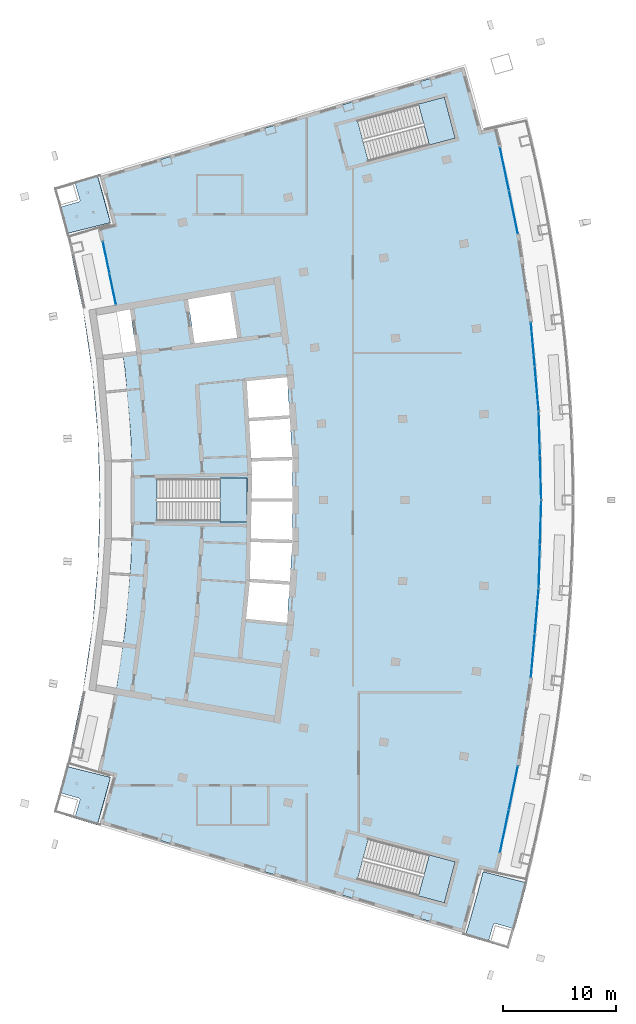
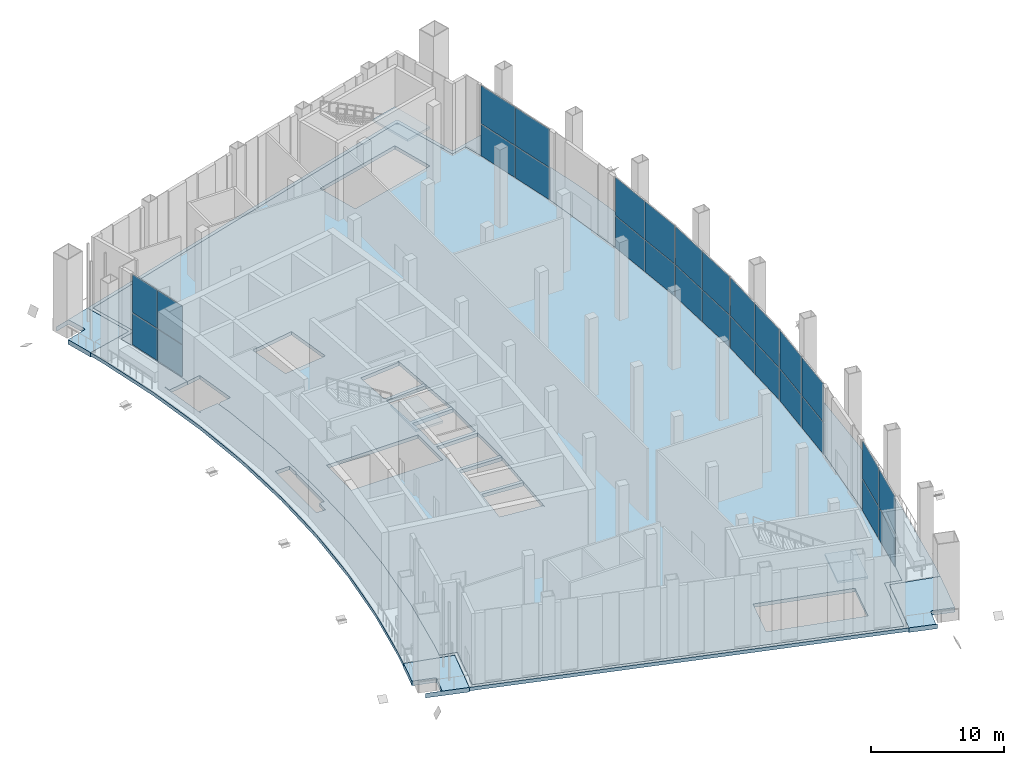
# One storey, part 12 of 24: 28 plates, 8 slabs, 10 elements without a shape of their own.
"""IFC4 building model written with IfcOpenShell, lengths in metres."""

from ifc_helpers import new_model, si_unit, direction, frame, origin, origin_2d, place, context, subcontext, project, spatial, polyline, rectangle, outline, extrude, material, layer, layer_set, type_object, element, aggregate, save


model = new_model("IFC4")

# Units and contexts
model_context = context("Model", 3, precision=1e-05, world=origin(), true_north=direction((0.0, 1.0)))
body_context = subcontext(model_context, "Body", "Model", "MODEL_VIEW")
ifc_project = project(units=[si_unit("LENGTHUNIT", "METRE"), si_unit("AREAUNIT", "SQUARE_METRE"), si_unit("VOLUMEUNIT", "CUBIC_METRE"), si_unit("PLANEANGLEUNIT", "RADIAN"), si_unit("MASSUNIT", "GRAM", prefix="KILO")], contexts=[model_context])

# Site, building, storey
site_placement = place(None, origin())
site = spatial("IfcSite", under=ifc_project, at=site_placement, CompositionType="ELEMENT")
building_placement = place(site_placement, origin())
building = spatial("IfcBuilding", under=site, at=building_placement, Name="Alderwake Tower", CompositionType="ELEMENT")
storey_placement = place(building_placement, frame((0.0, 0.0, 232.39990234375)))
storey = spatial("IfcBuildingStorey", under=building, at=storey_placement, Name="L58", CompositionType="ELEMENT", Elevation=232.39990234375)

# Slabs
ifc_material_1 = material(Name="Concrete C50/60", Category="concrete")
ifc_layer_1 = layer(ifc_material_1, 0.320068359375)
ifc_layer_set_1 = layer_set([ifc_layer_1], Name="Concrete C50/60 post-tensioned flat plate 320")
slab_type_1 = type_object("IfcSlabType", Name="Concrete C50/60 post-tensioned flat plate 320", PredefinedType="FLOOR", material=ifc_layer_set_1)
slab_1_placement = place(storey_placement, frame((0.0, 0.0, -0.31982421875)))
element("IfcSlab", 1, at=slab_1_placement, inside=storey, type_object=slab_type_1, Name="Floor slab L58", PredefinedType="FLOOR", context=body_context, shape_type="SweptSolid", body=[
    extrude(outline(polyline([(19.224853515625, 74.1796875), (18.673095703125, 77.842041015625), (18.869140625, 77.87158203125), (18.8671875, 77.8837890625), (17.474365234375, 77.6416015625), (17.389404296875, 78.21923828125), (16.219970703125, 83.867919921875), (15.923583984375, 84.97119140625), (17.3134765625, 85.322998046875), (16.14404296875, 89.552001953125), (47.912841796875, 99.090087890625), (48.194580078125, 98.934326171875), (49.692138671875, 93.518798828125), (51.005615234375, 93.851318359375), (51.43896484375, 92.238037109375), (53.03662109375, 84.52197265625), (54.181640625, 76.725830078125), (54.8701171875, 68.87646484375), (55.10009765625, 61.0), (54.8701171875, 53.12353515625), (54.181640625, 45.274169921875), (53.03662109375, 37.47802734375), (51.43896484375, 29.761962890625), (51.005615234375, 28.148681640625), (49.692138671875, 28.481201171875), (48.13330078125, 22.843994140625), (16.14404296875, 32.447998046875), (17.3134765625, 36.677001953125), (15.923583984375, 37.02880859375), (16.219970703125, 38.132080078125), (17.389404296875, 43.78076171875), (18.227783203125, 49.48779296875), (18.731689453125, 55.234130859375), (18.89990234375, 61.0), (18.731689453125, 66.765869140625), (18.227783203125, 72.51220703125), (18.03955078125, 73.79248046875), (18.234375, 74.050048828125), (19.224853515625, 74.1796875)]), holes=[polyline([(29.25732421875, 53.7685546875), (28.939697265625, 50.49072265625), (32.546875, 50.1376953125), (32.5322265625, 49.988525390625), (32.562255859375, 49.985595703125), (32.80126953125, 53.654541015625), (33.0400390625, 57.323486328125), (33.0400390625, 61.0), (33.0400390625, 64.676513671875), (32.80126953125, 68.345458984375), (32.562255859375, 72.014404296875), (32.532470703125, 72.011474609375), (32.547119140625, 71.8623046875), (28.886962890625, 71.50390625), (28.88720703125, 71.50048828125), (28.99462890625, 71.506591796875), (29.184814453125, 68.26025390625), (32.761474609375, 68.4931640625), (32.771240234375, 68.343505859375), (32.781005859375, 68.19384765625), (29.2021484375, 67.960693359375), (29.392578125, 64.7080078125), (33.005126953125, 64.82568359375), (33.010009765625, 64.67578125), (33.014892578125, 64.525634765625), (29.41015625, 64.408447265625), (29.4765625, 63.27685546875), (29.429443359375, 61.14990234375), (33.010009765625, 61.14990234375), (33.010009765625, 61.0), (33.010009765625, 60.85009765625), (29.4228515625, 60.85009765625), (29.350830078125, 57.593505859375), (33.014892578125, 57.474365234375), (33.010009765625, 57.32421875), (33.005126953125, 57.17431640625), (29.34423828125, 57.29345703125), (29.2705078125, 53.9697265625), (29.274169921875, 53.969482421875), (29.2783203125, 54.0341796875), (32.781005859375, 53.80615234375), (32.771240234375, 53.656494140625), (32.761474609375, 53.5068359375), (29.2587890625, 53.73486328125), (29.260986328125, 53.768310546875), (29.25732421875, 53.7685546875)]), polyline([(21.050048828125, 62.875), (21.050048828125, 59.125), (29.0, 59.125), (29.0, 62.875), (21.050048828125, 62.875)]), polyline([(27.538330078125, 79.39111328125), (23.794921875, 78.740478515625), (24.384033203125, 74.8583984375), (24.36865234375, 74.856201171875), (24.369140625, 74.8525390625), (28.152587890625, 75.347412109375), (27.538330078125, 79.39111328125)]), polyline([(47.436279296875, 28.996826171875), (39.754150390625, 31.043212890625), (38.7890625, 27.41943359375), (46.47119140625, 25.373291015625), (47.436279296875, 28.996826171875)]), polyline([(46.47119140625, 96.626708984375), (38.7890625, 94.58056640625), (39.754150390625, 90.956787109375), (47.436279296875, 93.003173828125), (46.47119140625, 96.626708984375)])]), origin(), (0.0, 0.0, 1.0), 0.31982421875),
])
ifc_material_2 = material(Name="Concrete C50/60", Category="concrete")
ifc_layer_2 = layer(ifc_material_2, 0.320068359375)
ifc_layer_set_2 = layer_set([ifc_layer_2], Name="Concrete C50/60 terrace slab 320")
slab_type_2 = type_object("IfcSlabType", Name="Concrete C50/60 terrace slab 320", PredefinedType="FLOOR", material=ifc_layer_set_2)
slab_2_placement = place(storey_placement, frame((0.0, 0.0, -0.31982421875)))
element("IfcSlab", 2, at=slab_2_placement, inside=storey, type_object=slab_type_2, Name="Terrace slab L58", PredefinedType="FLOOR", context=body_context, shape_type="SweptSolid", body=[
    extrude(outline(polyline([(13.3984375, 38.802734375), (14.53369140625, 44.28564453125), (15.347412109375, 49.825439453125), (15.836669921875, 55.4033203125), (16.0, 61.0), (15.836669921875, 66.5966796875), (15.347412109375, 72.174560546875), (14.53369140625, 77.71435546875), (13.3984375, 83.197265625), (13.06494140625, 84.556884765625), (16.942626953125, 85.53857421875), (15.776611328125, 89.7548828125), (48.120361328125, 99.465576171875), (48.40185546875, 99.309814453125), (49.903076171875, 93.881591796875), (53.78076171875, 94.863037109375), (54.26025390625, 92.90869140625), (55.892333984375, 85.02685546875), (57.06201171875, 77.0634765625), (57.765380859375, 69.04541015625), (58.0, 61.0), (57.765380859375, 52.95458984375), (57.06201171875, 44.9365234375), (55.892333984375, 36.97314453125), (54.26025390625, 29.09130859375), (53.78076171875, 27.136962890625), (49.903076171875, 28.118408203125), (48.340576171875, 22.468505859375), (15.776611328125, 32.2451171875), (16.942626953125, 36.46142578125), (13.06494140625, 37.443115234375), (13.3984375, 38.802734375)]), holes=[polyline([(49.692138671875, 28.481201171875), (51.005615234375, 28.148681640625), (51.43896484375, 29.761962890625), (53.03662109375, 37.47802734375), (54.181640625, 45.274169921875), (54.8701171875, 53.12353515625), (55.10009765625, 61.0), (54.8701171875, 68.87646484375), (54.181640625, 76.725830078125), (53.03662109375, 84.52197265625), (51.43896484375, 92.238037109375), (51.005615234375, 93.851318359375), (49.692138671875, 93.518798828125), (48.13330078125, 99.156005859375), (16.14404296875, 89.552001953125), (17.3134765625, 85.322998046875), (15.923583984375, 84.97119140625), (16.219970703125, 83.867919921875), (17.389404296875, 78.21923828125), (17.474365234375, 77.6416015625), (15.740234375, 77.340087890625), (15.64111328125, 77.91015625), (15.487060546875, 77.8828125), (15.487548828125, 77.879150390625), (15.617919921875, 77.899169921875), (16.280029296875, 73.5927734375), (16.31005859375, 73.5966796875), (16.2841796875, 73.794921875), (18.006103515625, 74.020263671875), (18.227783203125, 72.51220703125), (18.731689453125, 66.765869140625), (18.89990234375, 61.0), (18.731689453125, 55.234130859375), (18.227783203125, 49.48779296875), (17.389404296875, 43.78076171875), (16.219970703125, 38.132080078125), (15.923583984375, 37.02880859375), (17.3134765625, 36.677001953125), (16.14404296875, 32.447998046875), (48.13330078125, 22.843994140625), (49.692138671875, 28.481201171875)]), polyline([(17.289306640625, 64.118408203125), (17.289306640625, 57.881591796875), (18.06298828125, 57.85400390625), (18.090576171875, 58.84375), (18.544189453125, 58.831298828125), (18.529296875, 58.8681640625), (18.5234375, 58.891845703125), (18.5185546875, 58.940673828125), (18.5185546875, 63.060302734375), (18.5234375, 63.109130859375), (18.53759765625, 63.156005859375), (18.560791015625, 63.19921875), (18.588623046875, 63.2333984375), (18.562744140625, 64.16357421875), (17.289306640625, 64.118408203125)])]), origin(), (0.0, 0.0, 1.0), 0.31982421875),
])

# Stair, slab
ifc_material_3 = material(Name="Concrete C40/50", Category="concrete")
stair_type = type_object("IfcStairType", Name="Core exit stair", PredefinedType="HALF_TURN_STAIR", material=ifc_material_3)
stair_1_placement = place(storey_placement, origin())
stair_1 = element("IfcStair", 3, at=stair_1_placement, inside=storey, type_object=stair_type, Name="L58 Exit Stair B", PredefinedType="HALF_TURN_STAIR")
ifc_material_4 = material(Name="Concrete C40/50", Category="concrete")
ifc_layer_3 = layer(ifc_material_4, 0.199951171875)
ifc_layer_set_3 = layer_set([ifc_layer_3], Name="Core stair landing 200")
slab_type_3 = type_object("IfcSlabType", Name="Core stair landing 200", PredefinedType="LANDING", material=ifc_layer_set_3)
slab_3_placement = place(storey_placement, frame((0.0, 0.0, 3.400146484375)))
slab_3 = element("IfcSlab", 4, at=slab_3_placement, type_object=slab_type_3, Name="ST-B landing 1", PredefinedType="LANDING", context=body_context, shape_type="SweptSolid", body=[
    extrude(outline(polyline([(26.6298828125, 59.074951171875), (29.0, 59.074951171875), (29.0, 62.925048828125), (26.6298828125, 62.925048828125), (26.6298828125, 59.074951171875)])), origin(), (0.0, 0.0, 1.0), 0.199951171875),
])
aggregate(stair_1, [slab_3])

stair_2_placement = place(storey_placement, origin())
stair_2 = element("IfcStair", 5, at=stair_2_placement, inside=storey, type_object=stair_type, Name="L58 Exit Stair A", PredefinedType="HALF_TURN_STAIR")
slab_4_placement = place(storey_placement, frame((0.0, 0.0, 3.400146484375)))
slab_4 = element("IfcSlab", 6, at=slab_4_placement, type_object=slab_type_3, Name="ST-A landing 1", PredefinedType="LANDING", context=body_context, shape_type="SweptSolid", body=[
    extrude(outline(polyline([(45.146240234375, 92.39306640625), (47.436279296875, 93.003173828125), (46.47119140625, 96.626708984375), (44.18115234375, 96.0166015625), (45.146240234375, 92.39306640625)])), origin(), (0.0, 0.0, 1.0), 0.199951171875),
])
aggregate(stair_2, [slab_4])

stair_3_placement = place(storey_placement, origin())
stair_3 = element("IfcStair", 7, at=stair_3_placement, inside=storey, type_object=stair_type, Name="L58 Exit Stair C", PredefinedType="HALF_TURN_STAIR")
slab_5_placement = place(storey_placement, frame((0.0, 0.0, 3.400146484375)))
slab_5 = element("IfcSlab", 8, at=slab_5_placement, type_object=slab_type_3, Name="ST-C landing 1", PredefinedType="LANDING", context=body_context, shape_type="SweptSolid", body=[
    extrude(outline(polyline([(44.180908203125, 25.983154296875), (46.47119140625, 25.373291015625), (47.436279296875, 28.996826171875), (45.146240234375, 29.60693359375), (44.180908203125, 25.983154296875)])), origin(), (0.0, 0.0, 1.0), 0.199951171875),
])
aggregate(stair_3, [slab_5])

# Curtain wall, plates
ifc_material_5 = material(Name="Bronze tinted glass in aluminium frame", Category="aluminium")
ifc_layer_4 = layer(ifc_material_5, 0.199951171875)
ifc_layer_set_4 = layer_set([ifc_layer_4], Name="Curtain wall CW3 sky garden glazing")
curtain_wall_type = type_object("IfcCurtainWallType", Name="Curtain wall CW3 sky garden glazing", PredefinedType="NOTDEFINED", material=ifc_layer_set_4)
curtain_wall_1_placement = place(storey_placement, origin())
curtain_wall_1 = element("IfcCurtainWall", 9, at=curtain_wall_1_placement, inside=storey, type_object=curtain_wall_type, Name="Curtain wall 1", PredefinedType="NOTDEFINED")
ifc_material_6 = material(Name="Bronze tinted glass in aluminium frame", Category="aluminium")
ifc_layer_5 = layer(ifc_material_6, 0.028076171875)
ifc_layer_set_5 = layer_set([ifc_layer_5], Name="Glass panel GPC 28")
plate_type = type_object("IfcPlateType", Name="Glass panel GPC 28", PredefinedType="CURTAIN_PANEL", material=ifc_layer_set_5)
plate_1_placement = place(storey_placement, frame((16.564208984375, 82.4521484375, 0.06005859375), z_axis=(0.0, 0.0, 1.0), x_axis=(0.202751325409, -0.979230258951, 0.0)))
plate_1 = element("IfcPlate", 10, at=plate_1_placement, type_object=plate_type, Name="CW.01 panel 1.1", PredefinedType="CURTAIN_PANEL", context=body_context, shape_type="SweptSolid", body=[
    extrude(rectangle(XDim=2.791748046875, YDim=0.028076171875, at=origin_2d()), origin(), (0.0, 0.0, 1.0), 2.909912109375),
])
plate_2_placement = place(storey_placement, frame((16.564208984375, 82.4521484375, 3.0302734375), z_axis=(0.0, 0.0, 1.0), x_axis=(0.202751325409, -0.979230258951, 0.0)))
plate_2 = element("IfcPlate", 11, at=plate_2_placement, type_object=plate_type, Name="CW.01 panel 1.2", PredefinedType="CURTAIN_PANEL", context=body_context, shape_type="SweptSolid", body=[
    extrude(rectangle(XDim=2.791748046875, YDim=0.028076171875, at=origin_2d()), origin(), (0.0, 0.0, 1.0), 3.510009765625),
])
plate_3_placement = place(storey_placement, frame((17.142333984375, 79.65966796875, 0.06005859375), z_axis=(0.0, 0.0, 1.0), x_axis=(0.202751325409, -0.979230258951, 0.0)))
plate_3 = element("IfcPlate", 12, at=plate_3_placement, type_object=plate_type, Name="CW.01 panel 2.1", PredefinedType="CURTAIN_PANEL", context=body_context, shape_type="SweptSolid", body=[
    extrude(rectangle(XDim=2.791748046875, YDim=0.028076171875, at=origin_2d()), origin(), (0.0, 0.0, 1.0), 2.909912109375),
])
plate_4_placement = place(storey_placement, frame((17.142333984375, 79.65966796875, 3.0302734375), z_axis=(0.0, 0.0, 1.0), x_axis=(0.202751325409, -0.979230258951, 0.0)))
plate_4 = element("IfcPlate", 13, at=plate_4_placement, type_object=plate_type, Name="CW.01 panel 2.2", PredefinedType="CURTAIN_PANEL", context=body_context, shape_type="SweptSolid", body=[
    extrude(rectangle(XDim=2.791748046875, YDim=0.028076171875, at=origin_2d()), origin(), (0.0, 0.0, 1.0), 3.510009765625),
])
aggregate(curtain_wall_1, [plate_1, plate_2, plate_3, plate_4])

curtain_wall_2_placement = place(storey_placement, origin())
curtain_wall_2 = element("IfcCurtainWall", 14, at=curtain_wall_2_placement, inside=storey, type_object=curtain_wall_type, Name="Curtain wall 2", PredefinedType="NOTDEFINED")
plate_5_placement = place(storey_placement, frame((51.79248046875, 31.7158203125, 0.06005859375), z_axis=(0.0, 0.0, 1.0), x_axis=(0.202759612163, 0.979228543128, 0.0)))
plate_5 = element("IfcPlate", 15, at=plate_5_placement, type_object=plate_type, Name="CW.02 panel 1.1", PredefinedType="CURTAIN_PANEL", context=body_context, shape_type="SweptSolid", body=[
    extrude(rectangle(XDim=3.849853515625, YDim=0.028076171875, at=origin_2d()), origin(), (0.0, 0.0, 1.0), 2.909912109375),
])
plate_6_placement = place(storey_placement, frame((51.79248046875, 31.7158203125, 3.0302734375), z_axis=(0.0, 0.0, 1.0), x_axis=(0.202759612163, 0.979228543128, 0.0)))
plate_6 = element("IfcPlate", 16, at=plate_6_placement, type_object=plate_type, Name="CW.02 panel 1.2", PredefinedType="CURTAIN_PANEL", context=body_context, shape_type="SweptSolid", body=[
    extrude(rectangle(XDim=3.849853515625, YDim=0.028076171875, at=origin_2d()), origin(), (0.0, 0.0, 1.0), 3.510009765625),
])
plate_7_placement = place(storey_placement, frame((52.585205078125, 35.54443359375, 0.06005859375), z_axis=(0.0, 0.0, 1.0), x_axis=(0.202759612163, 0.979228543128, 0.0)))
plate_7 = element("IfcPlate", 17, at=plate_7_placement, type_object=plate_type, Name="CW.02 panel 2.1", PredefinedType="CURTAIN_PANEL", context=body_context, shape_type="SweptSolid", body=[
    extrude(rectangle(XDim=3.849853515625, YDim=0.028076171875, at=origin_2d()), origin(), (0.0, 0.0, 1.0), 2.909912109375),
])
plate_8_placement = place(storey_placement, frame((52.585205078125, 35.54443359375, 3.0302734375), z_axis=(0.0, 0.0, 1.0), x_axis=(0.202759612163, 0.979228543128, 0.0)))
plate_8 = element("IfcPlate", 18, at=plate_8_placement, type_object=plate_type, Name="CW.02 panel 2.2", PredefinedType="CURTAIN_PANEL", context=body_context, shape_type="SweptSolid", body=[
    extrude(rectangle(XDim=3.849853515625, YDim=0.028076171875, at=origin_2d()), origin(), (0.0, 0.0, 1.0), 3.510009765625),
])
aggregate(curtain_wall_2, [plate_5, plate_6, plate_7, plate_8])

curtain_wall_3_placement = place(storey_placement, origin())
curtain_wall_3 = element("IfcCurtainWall", 19, at=curtain_wall_3_placement, inside=storey, type_object=curtain_wall_type, Name="Curtain wall 3", PredefinedType="NOTDEFINED")
plate_9_placement = place(storey_placement, frame((54.30517578125, 47.255859375, 0.06005859375), z_axis=(0.0, 0.0, 1.0), x_axis=(0.087389713309, 0.996174200633, 0.0)))
plate_9 = element("IfcPlate", 20, at=plate_9_placement, type_object=plate_type, Name="CW.03 panel 1.1", PredefinedType="CURTAIN_PANEL", context=body_context, shape_type="SweptSolid", body=[
    extrude(rectangle(XDim=3.849853515625, YDim=0.028076171875, at=origin_2d()), origin(), (0.0, 0.0, 1.0), 2.909912109375),
])
plate_10_placement = place(storey_placement, frame((54.30517578125, 47.255859375, 3.0302734375), z_axis=(0.0, 0.0, 1.0), x_axis=(0.087389713309, 0.996174200633, 0.0)))
plate_10 = element("IfcPlate", 21, at=plate_10_placement, type_object=plate_type, Name="CW.03 panel 1.2", PredefinedType="CURTAIN_PANEL", context=body_context, shape_type="SweptSolid", body=[
    extrude(rectangle(XDim=3.849853515625, YDim=0.028076171875, at=origin_2d()), origin(), (0.0, 0.0, 1.0), 3.510009765625),
])
plate_11_placement = place(storey_placement, frame((54.64697265625, 51.150634765625, 0.06005859375), z_axis=(0.0, 0.0, 1.0), x_axis=(0.087389713309, 0.996174200633, 0.0)))
plate_11 = element("IfcPlate", 22, at=plate_11_placement, type_object=plate_type, Name="CW.03 panel 2.1", PredefinedType="CURTAIN_PANEL", context=body_context, shape_type="SweptSolid", body=[
    extrude(rectangle(XDim=3.849853515625, YDim=0.028076171875, at=origin_2d()), origin(), (0.0, 0.0, 1.0), 2.909912109375),
])
plate_12_placement = place(storey_placement, frame((54.64697265625, 51.150634765625, 3.0302734375), z_axis=(0.0, 0.0, 1.0), x_axis=(0.087389713309, 0.996174200633, 0.0)))
plate_12 = element("IfcPlate", 23, at=plate_12_placement, type_object=plate_type, Name="CW.03 panel 2.2", PredefinedType="CURTAIN_PANEL", context=body_context, shape_type="SweptSolid", body=[
    extrude(rectangle(XDim=3.849853515625, YDim=0.028076171875, at=origin_2d()), origin(), (0.0, 0.0, 1.0), 3.510009765625),
])
aggregate(curtain_wall_3, [plate_9, plate_10, plate_11, plate_12])

curtain_wall_4_placement = place(storey_placement, origin())
curtain_wall_4 = element("IfcCurtainWall", 24, at=curtain_wall_4_placement, inside=storey, type_object=curtain_wall_type, Name="Curtain wall 4", PredefinedType="NOTDEFINED")
plate_13_placement = place(storey_placement, frame((54.878173828125, 55.109130859375, 0.06005859375), z_axis=(0.0, 0.0, 1.0), x_axis=(0.029163355919, 0.999574658878, 0.0)))
plate_13 = element("IfcPlate", 25, at=plate_13_placement, type_object=plate_type, Name="CW.04 panel 1.1", PredefinedType="CURTAIN_PANEL", context=body_context, shape_type="SweptSolid", body=[
    extrude(rectangle(XDim=3.849853515625, YDim=0.028076171875, at=origin_2d()), origin(), (0.0, 0.0, 1.0), 2.909912109375),
])
plate_14_placement = place(storey_placement, frame((54.878173828125, 55.109130859375, 3.0302734375), z_axis=(0.0, 0.0, 1.0), x_axis=(0.029163355919, 0.999574658878, 0.0)))
plate_14 = element("IfcPlate", 26, at=plate_14_placement, type_object=plate_type, Name="CW.04 panel 1.2", PredefinedType="CURTAIN_PANEL", context=body_context, shape_type="SweptSolid", body=[
    extrude(rectangle(XDim=3.849853515625, YDim=0.028076171875, at=origin_2d()), origin(), (0.0, 0.0, 1.0), 3.510009765625),
])
plate_15_placement = place(storey_placement, frame((54.9921875, 59.017333984375, 0.06005859375), z_axis=(0.0, 0.0, 1.0), x_axis=(0.029163355919, 0.999574658878, 0.0)))
plate_15 = element("IfcPlate", 27, at=plate_15_placement, type_object=plate_type, Name="CW.04 panel 2.1", PredefinedType="CURTAIN_PANEL", context=body_context, shape_type="SweptSolid", body=[
    extrude(rectangle(XDim=3.849853515625, YDim=0.028076171875, at=origin_2d()), origin(), (0.0, 0.0, 1.0), 2.909912109375),
])
plate_16_placement = place(storey_placement, frame((54.9921875, 59.017333984375, 3.0302734375), z_axis=(0.0, 0.0, 1.0), x_axis=(0.029163355919, 0.999574658878, 0.0)))
plate_16 = element("IfcPlate", 28, at=plate_16_placement, type_object=plate_type, Name="CW.04 panel 2.2", PredefinedType="CURTAIN_PANEL", context=body_context, shape_type="SweptSolid", body=[
    extrude(rectangle(XDim=3.849853515625, YDim=0.028076171875, at=origin_2d()), origin(), (0.0, 0.0, 1.0), 3.510009765625),
])
aggregate(curtain_wall_4, [plate_13, plate_14, plate_15, plate_16])

curtain_wall_5_placement = place(storey_placement, origin())
curtain_wall_5 = element("IfcCurtainWall", 29, at=curtain_wall_5_placement, inside=storey, type_object=curtain_wall_type, Name="Curtain wall 5", PredefinedType="NOTDEFINED")
plate_17_placement = place(storey_placement, frame((54.9921875, 62.982666015625, 0.06005859375), z_axis=(0.0, 0.0, 1.0), x_axis=(-0.029163355919, 0.999574658878, 0.0)))
plate_17 = element("IfcPlate", 30, at=plate_17_placement, type_object=plate_type, Name="CW.05 panel 1.1", PredefinedType="CURTAIN_PANEL", context=body_context, shape_type="SweptSolid", body=[
    extrude(rectangle(XDim=3.849853515625, YDim=0.028076171875, at=origin_2d()), origin(), (0.0, 0.0, 1.0), 2.909912109375),
])
plate_18_placement = place(storey_placement, frame((54.9921875, 62.982666015625, 3.0302734375), z_axis=(0.0, 0.0, 1.0), x_axis=(-0.029163355919, 0.999574658878, 0.0)))
plate_18 = element("IfcPlate", 31, at=plate_18_placement, type_object=plate_type, Name="CW.05 panel 1.2", PredefinedType="CURTAIN_PANEL", context=body_context, shape_type="SweptSolid", body=[
    extrude(rectangle(XDim=3.849853515625, YDim=0.028076171875, at=origin_2d()), origin(), (0.0, 0.0, 1.0), 3.510009765625),
])
plate_19_placement = place(storey_placement, frame((54.878173828125, 66.890869140625, 0.06005859375), z_axis=(0.0, 0.0, 1.0), x_axis=(-0.029163355919, 0.999574658878, 0.0)))
plate_19 = element("IfcPlate", 32, at=plate_19_placement, type_object=plate_type, Name="CW.05 panel 2.1", PredefinedType="CURTAIN_PANEL", context=body_context, shape_type="SweptSolid", body=[
    extrude(rectangle(XDim=3.849853515625, YDim=0.028076171875, at=origin_2d()), origin(), (0.0, 0.0, 1.0), 2.909912109375),
])
plate_20_placement = place(storey_placement, frame((54.878173828125, 66.890869140625, 3.0302734375), z_axis=(0.0, 0.0, 1.0), x_axis=(-0.029163355919, 0.999574658878, 0.0)))
plate_20 = element("IfcPlate", 33, at=plate_20_placement, type_object=plate_type, Name="CW.05 panel 2.2", PredefinedType="CURTAIN_PANEL", context=body_context, shape_type="SweptSolid", body=[
    extrude(rectangle(XDim=3.849853515625, YDim=0.028076171875, at=origin_2d()), origin(), (0.0, 0.0, 1.0), 3.510009765625),
])
aggregate(curtain_wall_5, [plate_17, plate_18, plate_19, plate_20])

curtain_wall_6_placement = place(storey_placement, origin())
curtain_wall_6 = element("IfcCurtainWall", 34, at=curtain_wall_6_placement, inside=storey, type_object=curtain_wall_type, Name="Curtain wall 6", PredefinedType="NOTDEFINED")
plate_21_placement = place(storey_placement, frame((54.64697265625, 70.849365234375, 0.06005859375), z_axis=(0.0, 0.0, 1.0), x_axis=(-0.087389713309, 0.996174200633, 0.0)))
plate_21 = element("IfcPlate", 35, at=plate_21_placement, type_object=plate_type, Name="CW.06 panel 1.1", PredefinedType="CURTAIN_PANEL", context=body_context, shape_type="SweptSolid", body=[
    extrude(rectangle(XDim=3.849853515625, YDim=0.028076171875, at=origin_2d()), origin(), (0.0, 0.0, 1.0), 2.909912109375),
])
plate_22_placement = place(storey_placement, frame((54.64697265625, 70.849365234375, 3.0302734375), z_axis=(0.0, 0.0, 1.0), x_axis=(-0.087389713309, 0.996174200633, 0.0)))
plate_22 = element("IfcPlate", 36, at=plate_22_placement, type_object=plate_type, Name="CW.06 panel 1.2", PredefinedType="CURTAIN_PANEL", context=body_context, shape_type="SweptSolid", body=[
    extrude(rectangle(XDim=3.849853515625, YDim=0.028076171875, at=origin_2d()), origin(), (0.0, 0.0, 1.0), 3.510009765625),
])
plate_23_placement = place(storey_placement, frame((54.30517578125, 74.744140625, 0.06005859375), z_axis=(0.0, 0.0, 1.0), x_axis=(-0.087389713309, 0.996174200633, 0.0)))
plate_23 = element("IfcPlate", 37, at=plate_23_placement, type_object=plate_type, Name="CW.06 panel 2.1", PredefinedType="CURTAIN_PANEL", context=body_context, shape_type="SweptSolid", body=[
    extrude(rectangle(XDim=3.849853515625, YDim=0.028076171875, at=origin_2d()), origin(), (0.0, 0.0, 1.0), 2.909912109375),
])
plate_24_placement = place(storey_placement, frame((54.30517578125, 74.744140625, 3.0302734375), z_axis=(0.0, 0.0, 1.0), x_axis=(-0.087389713309, 0.996174200633, 0.0)))
plate_24 = element("IfcPlate", 38, at=plate_24_placement, type_object=plate_type, Name="CW.06 panel 2.2", PredefinedType="CURTAIN_PANEL", context=body_context, shape_type="SweptSolid", body=[
    extrude(rectangle(XDim=3.849853515625, YDim=0.028076171875, at=origin_2d()), origin(), (0.0, 0.0, 1.0), 3.510009765625),
])
aggregate(curtain_wall_6, [plate_21, plate_22, plate_23, plate_24])

curtain_wall_7_placement = place(storey_placement, origin())
curtain_wall_7 = element("IfcCurtainWall", 39, at=curtain_wall_7_placement, inside=storey, type_object=curtain_wall_type, Name="Curtain wall 7", PredefinedType="NOTDEFINED")
plate_25_placement = place(storey_placement, frame((52.585205078125, 86.45556640625, 0.06005859375), z_axis=(0.0, 0.0, 1.0), x_axis=(-0.202759612163, 0.979228543128, 0.0)))
plate_25 = element("IfcPlate", 40, at=plate_25_placement, type_object=plate_type, Name="CW.07 panel 1.1", PredefinedType="CURTAIN_PANEL", context=body_context, shape_type="SweptSolid", body=[
    extrude(rectangle(XDim=3.849853515625, YDim=0.028076171875, at=origin_2d()), origin(), (0.0, 0.0, 1.0), 2.909912109375),
])
plate_26_placement = place(storey_placement, frame((52.585205078125, 86.45556640625, 3.0302734375), z_axis=(0.0, 0.0, 1.0), x_axis=(-0.202759612163, 0.979228543128, 0.0)))
plate_26 = element("IfcPlate", 41, at=plate_26_placement, type_object=plate_type, Name="CW.07 panel 1.2", PredefinedType="CURTAIN_PANEL", context=body_context, shape_type="SweptSolid", body=[
    extrude(rectangle(XDim=3.849853515625, YDim=0.028076171875, at=origin_2d()), origin(), (0.0, 0.0, 1.0), 3.510009765625),
])
plate_27_placement = place(storey_placement, frame((51.79248046875, 90.2841796875, 0.06005859375), z_axis=(0.0, 0.0, 1.0), x_axis=(-0.202759612163, 0.979228543128, 0.0)))
plate_27 = element("IfcPlate", 42, at=plate_27_placement, type_object=plate_type, Name="CW.07 panel 2.1", PredefinedType="CURTAIN_PANEL", context=body_context, shape_type="SweptSolid", body=[
    extrude(rectangle(XDim=3.849853515625, YDim=0.028076171875, at=origin_2d()), origin(), (0.0, 0.0, 1.0), 2.909912109375),
])
plate_28_placement = place(storey_placement, frame((51.79248046875, 90.2841796875, 3.0302734375), z_axis=(0.0, 0.0, 1.0), x_axis=(-0.202759612163, 0.979228543128, 0.0)))
plate_28 = element("IfcPlate", 43, at=plate_28_placement, type_object=plate_type, Name="CW.07 panel 2.2", PredefinedType="CURTAIN_PANEL", context=body_context, shape_type="SweptSolid", body=[
    extrude(rectangle(XDim=3.849853515625, YDim=0.028076171875, at=origin_2d()), origin(), (0.0, 0.0, 1.0), 3.510009765625),
])
aggregate(curtain_wall_7, [plate_25, plate_26, plate_27, plate_28])

# Slabs
ifc_material_7 = material(Name="Concrete C50/60", Category="concrete")
ifc_layer_6 = layer(ifc_material_7, 0.419921875)
ifc_layer_set_6 = layer_set([ifc_layer_6], Name="Terrace slab 420")
slab_type_4 = type_object("IfcSlabType", Name="Terrace slab 420", PredefinedType="FLOOR", material=ifc_layer_set_6)
slab_6_placement = place(storey_placement, frame((0.0, 0.0, -0.419921875)))
element("IfcSlab", 44, at=slab_6_placement, inside=storey, type_object=slab_type_4, Name="Corner terrace FS", PredefinedType="FLOOR", context=body_context, shape_type="SweptSolid", body=[
    extrude(outline(polyline([(52.736328125, 23.25), (52.67578125, 23.042724609375), (52.673828125, 23.044189453125), (52.6611328125, 23.051513671875), (52.647705078125, 23.057861328125), (52.6337890625, 23.0625), (51.002685546875, 23.540771484375), (50.98828125, 23.544189453125), (50.9736328125, 23.546142578125), (50.958984375, 23.546875), (50.9443359375, 23.5458984375), (50.9296875, 23.543701171875), (50.91552734375, 23.539794921875), (50.901611328125, 23.534912109375), (50.888427734375, 23.5283203125), (50.8759765625, 23.520751953125), (50.864013671875, 23.511962890625), (50.853271484375, 23.501953125), (50.843505859375, 23.490966796875), (50.8349609375, 23.47900390625), (50.827392578125, 23.46630859375), (50.8212890625, 23.452880859375), (50.81640625, 23.43896484375), (50.39453125, 21.99951171875), (50.39111328125, 21.985107421875), (50.38916015625, 21.970703125), (50.388427734375, 21.955810546875), (50.389404296875, 21.94140625), (50.3916015625, 21.9267578125), (50.395263671875, 21.91259765625), (50.400390625, 21.898681640625), (50.40673828125, 21.885498046875), (50.41455078125, 21.872802734375), (50.42333984375, 21.861083984375), (50.433349609375, 21.850341796875), (50.4443359375, 21.840576171875), (50.452880859375, 21.834228515625), (48.340576171875, 22.468505859375), (48.888916015625, 24.343994140625), (49.40966796875, 26.2275390625), (49.903076171875, 28.118408203125), (53.78076171875, 27.136962890625), (53.272705078125, 25.189697265625), (52.736328125, 23.25)])), origin(), (0.0, 0.0, 1.0), 0.419921875),
])
slab_7_placement = place(storey_placement, frame((0.0, 0.0, -0.419921875)))
element("IfcSlab", 45, at=slab_7_placement, inside=storey, type_object=slab_type_4, Name="Corner terrace RS", PredefinedType="FLOOR", context=body_context, shape_type="SweptSolid", body=[
    extrude(outline(polyline([(15.776611328125, 32.2451171875), (12.517333984375, 33.2236328125), (13.628662109375, 32.901123046875), (13.64306640625, 32.897705078125), (13.65771484375, 32.895751953125), (13.67236328125, 32.895263671875), (13.68701171875, 32.896240234375), (13.701416015625, 32.8984375), (13.7158203125, 32.90234375), (13.7294921875, 32.907470703125), (13.742919921875, 32.913818359375), (13.75537109375, 32.921630859375), (13.76708984375, 32.930419921875), (13.77783203125, 32.9404296875), (13.78759765625, 32.951416015625), (13.796142578125, 32.96337890625), (13.8037109375, 32.976318359375), (13.809814453125, 32.989501953125), (13.814453125, 33.00341796875), (14.232421875, 34.444091796875), (14.23583984375, 34.45849609375), (14.23779296875, 34.472900390625), (14.23828125, 34.48779296875), (14.237548828125, 34.50244140625), (14.235107421875, 34.516845703125), (14.2314453125, 34.53125), (14.226318359375, 34.544921875), (14.2197265625, 34.55810546875), (14.212158203125, 34.57080078125), (14.203125, 34.58251953125), (14.193115234375, 34.59326171875), (14.18212890625, 34.60302734375), (14.170166015625, 34.611572265625), (14.157470703125, 34.618896484375), (14.14404296875, 34.625244140625), (14.130126953125, 34.6298828125), (12.49755859375, 35.103515625), (12.483154296875, 35.10693359375), (12.468505859375, 35.10888671875), (12.453857421875, 35.109619140625), (12.4404296875, 35.108642578125), (12.71142578125, 36.08837890625), (13.06494140625, 37.443115234375), (16.942626953125, 36.46142578125), (15.776611328125, 32.2451171875)])), origin(), (0.0, 0.0, 1.0), 0.419921875),
])
slab_8_placement = place(storey_placement, frame((0.0, 0.0, -0.419921875)))
element("IfcSlab", 46, at=slab_8_placement, inside=storey, type_object=slab_type_4, Name="Corner terrace RN", PredefinedType="FLOOR", context=body_context, shape_type="SweptSolid", body=[
    extrude(outline(polyline([(12.4404296875, 86.891357421875), (12.453857421875, 86.890380859375), (12.468505859375, 86.89111328125), (12.483154296875, 86.89306640625), (12.49755859375, 86.896484375), (14.130126953125, 87.3701171875), (14.14404296875, 87.374755859375), (14.157470703125, 87.381103515625), (14.170166015625, 87.388427734375), (14.18212890625, 87.39697265625), (14.193115234375, 87.40673828125), (14.203125, 87.41748046875), (14.212158203125, 87.42919921875), (14.2197265625, 87.44189453125), (14.226318359375, 87.455078125), (14.2314453125, 87.46875), (14.235107421875, 87.483154296875), (14.237548828125, 87.49755859375), (14.23828125, 87.51220703125), (14.23779296875, 87.527099609375), (14.23583984375, 87.54150390625), (14.232421875, 87.555908203125), (13.814453125, 88.99658203125), (13.809814453125, 89.010498046875), (13.8037109375, 89.023681640625), (13.796142578125, 89.03662109375), (13.78759765625, 89.048583984375), (13.77783203125, 89.0595703125), (13.76708984375, 89.069580078125), (13.75537109375, 89.078369140625), (13.742919921875, 89.086181640625), (13.7294921875, 89.092529296875), (13.7158203125, 89.09765625), (13.701416015625, 89.1015625), (13.68701171875, 89.103759765625), (13.67236328125, 89.104736328125), (13.65771484375, 89.104248046875), (13.64306640625, 89.102294921875), (13.628662109375, 89.098876953125), (12.517333984375, 88.7763671875), (15.776611328125, 89.7548828125), (16.942626953125, 85.53857421875), (13.06494140625, 84.556884765625), (12.71142578125, 85.91162109375), (12.4404296875, 86.891357421875)])), origin(), (0.0, 0.0, 1.0), 0.419921875),
])

save(model, "model.ifc")
